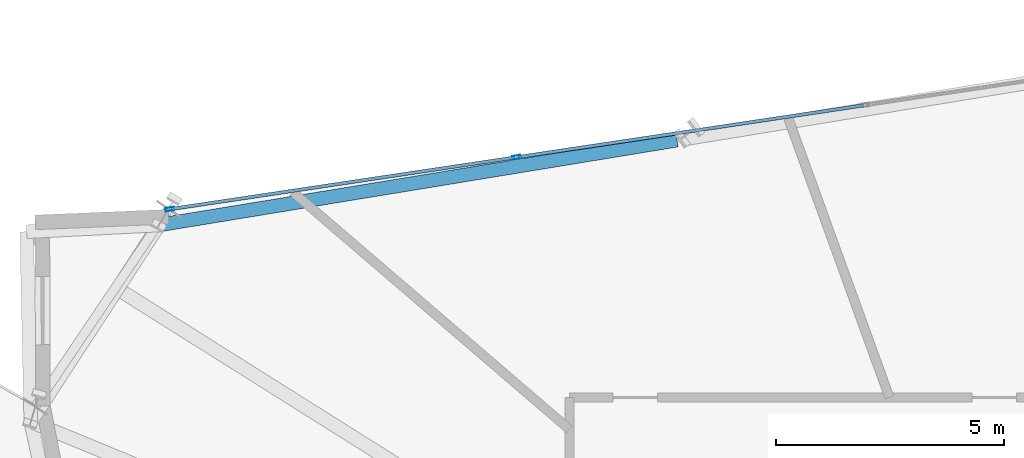
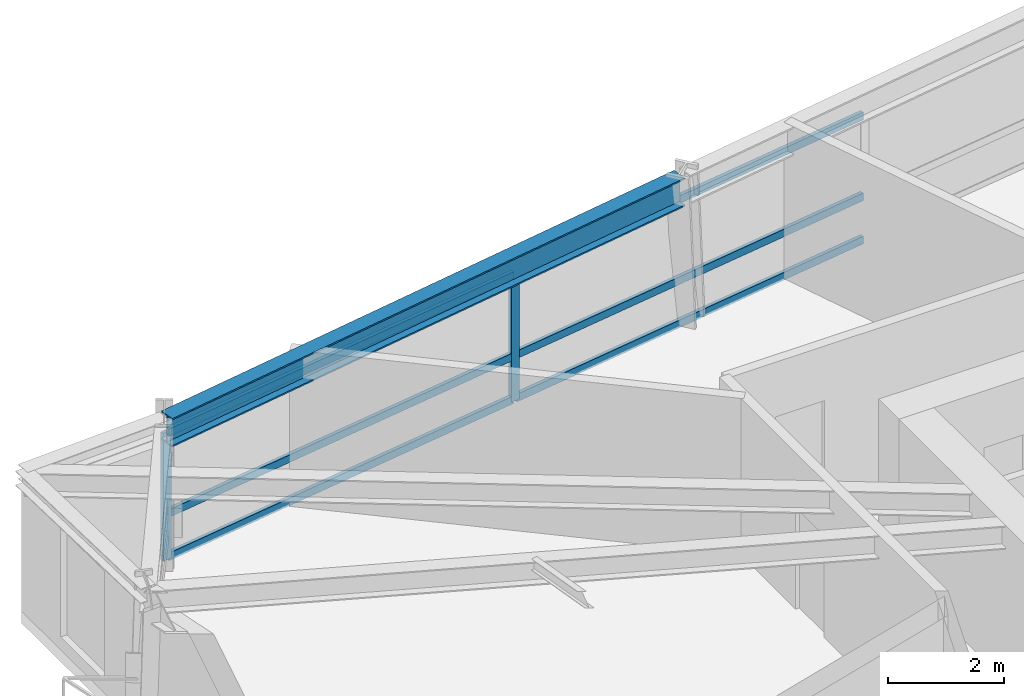
# One storey, part 4 of 14: 8 members, 1 beam, 1 element without a shape of its own.
"""IFC4 building model written with IfcOpenShell, lengths in metres."""

from ifc_helpers import new_model, si_unit, direction, frame, origin, origin_2d, place, context, subcontext, project, spatial, hollow_rectangle, i_section, extrude, source, transform, mapped, material, material_profile, profile_set, type_object, element, aggregate, save


model = new_model("IFC4")

# Units and contexts
model_context = context("Model", 3, precision=1e-05, world=origin(), true_north=direction((0.0, 1.0)))
body_context = subcontext(model_context, "Body", "Model", "MODEL_VIEW")
ifc_project = project(units=[si_unit("LENGTHUNIT", "METRE"), si_unit("AREAUNIT", "SQUARE_METRE"), si_unit("VOLUMEUNIT", "CUBIC_METRE"), si_unit("PLANEANGLEUNIT", "RADIAN"), si_unit("MASSUNIT", "GRAM", prefix="KILO")], contexts=[model_context])

# Site, building, storey
site_placement = place(None, origin())
site = spatial("IfcSite", under=ifc_project, at=site_placement, CompositionType="ELEMENT")
building_placement = place(site_placement, origin())
building = spatial("IfcBuilding", under=site, at=building_placement, Name="Olszyna Solenne Hotel", CompositionType="ELEMENT")
storey_placement = place(building_placement, frame((0.0, 0.0, 130.550048828125)))
storey = spatial("IfcBuildingStorey", under=building, at=storey_placement, Name="L34", CompositionType="ELEMENT", Elevation=130.550048828125)

# Beam
ifc_material_1 = material(Name="Steel S355J2", Category="steel")
ifc_material_profile_1 = material_profile(ifc_material_1, i_section(OverallWidth=0.300048828125, OverallDepth=0.60009765625, WebThickness=0.015380859375, FlangeThickness=0.030029296875, at=origin_2d()), Name="HEB 600", Category="load-bearing")
ifc_profile_set_1 = profile_set([ifc_material_profile_1], Name="Steel S355J2")
beam_type = type_object("IfcBeamType", Name="BM-S2", PredefinedType="BEAM", material=ifc_profile_set_1)
shared_shape_1 = source(origin(), body_context, "Body", "SweptSolid", [
    extrude(i_section(OverallWidth=0.300048828125, OverallDepth=0.60009765625, WebThickness=0.015380859375, FlangeThickness=0.030029296875, at=origin_2d()), origin(), (0.0, 0.0, 1.0), 11.44775390625),
])
beam_placement = place(storey_placement, frame((29.810546875, 41.9892578125, 3.0), z_axis=(-0.986854553556, -0.161610922048, 0.0), x_axis=(0.161610922048, -0.986854553556, 0.0)))
element("IfcBeam", 1, at=beam_placement, inside=storey, type_object=beam_type, Name="Perimeter spandrel beam BM-S2 B-L34-1019", PredefinedType="BEAM", context=body_context, shape_type="MappedRepresentation", body=[
    mapped(shared_shape_1, transform((0.0, 0.0, 0.0), x_axis=(1.0, 0.0, 0.0), y_axis=(0.0, 1.0, 0.0), z_axis=(0.0, 0.0, 1.0), scale=1.0)),
])

# Curtain wall, members
ifc_material_2 = material(Name="Anodised bronze aluminium", Category="aluminium")
curtain_wall_type = type_object("IfcCurtainWallType", Name="CW-SYS-3", PredefinedType="NOTDEFINED", material=ifc_material_2)
curtain_wall_placement = place(storey_placement, origin())
curtain_wall = element("IfcCurtainWall", 2, at=curtain_wall_placement, inside=storey, type_object=curtain_wall_type, Name="Unitised curtain wall CW-SYS-3 CW-L34-02", PredefinedType="NOTDEFINED")
ifc_material_profile_2 = material_profile(ifc_material_2, hollow_rectangle(XDim=0.074951171875, YDim=0.179931640625, WallThickness=0.00439453125, at=origin_2d()), Name="MULL 180x75x4.5", Category="load-bearing")
ifc_profile_set_2 = profile_set([ifc_material_profile_2], Name="Anodised bronze aluminium")
member_type_1 = type_object("IfcMemberType", Name="CW-M2", PredefinedType="MULLION", material=ifc_profile_set_2)
shared_shape_2 = source(origin(), body_context, "Body", "SweptSolid", [
    extrude(hollow_rectangle(XDim=0.074951171875, YDim=0.179931640625, WallThickness=0.00439453125, at=origin_2d()), origin(), (0.0, 0.0, 1.0), 2.69189453125),
])
member_1_placement = place(storey_placement, frame((18.69140625, 40.47607421875, 0.0), z_axis=(0.0, 0.0, 1.0), x_axis=(-0.148061402675, 0.988978170152, 0.0)))
member_1 = element("IfcMember", 3, at=member_1_placement, type_object=member_type_1, Name="Curtain-wall mullion CW-M2 CM-L34-02-01", PredefinedType="MULLION", context=body_context, shape_type="MappedRepresentation", body=[
    mapped(shared_shape_2, transform((0.0, 0.0, 0.0), x_axis=(1.0, 0.0, 0.0), y_axis=(0.0, 1.0, 0.0), z_axis=(0.0, 0.0, 1.0), scale=1.0)),
])
member_2_placement = place(storey_placement, frame((26.29150390625, 41.614013671875, 0.0), z_axis=(0.0, 0.0, 1.0), x_axis=(-0.148061402675, 0.988978170152, 0.0)))
member_2 = element("IfcMember", 4, at=member_2_placement, type_object=member_type_1, Name="Curtain-wall mullion CW-M2 CM-L34-02-02", PredefinedType="MULLION", context=body_context, shape_type="MappedRepresentation", body=[
    mapped(shared_shape_2, transform((0.0, 0.0, 0.0), x_axis=(1.0, 0.0, 0.0), y_axis=(0.0, 1.0, 0.0), z_axis=(0.0, 0.0, 1.0), scale=1.0)),
])
ifc_material_profile_3 = material_profile(ifc_material_2, hollow_rectangle(XDim=0.074951171875, YDim=0.159912109375, WallThickness=0.00390625, at=origin_2d()), Name="TRAN 160x75x4", Category="load-bearing")
ifc_profile_set_3 = profile_set([ifc_material_profile_3], Name="Anodised bronze aluminium")
member_type_2 = type_object("IfcMemberType", Name="CW-T1", PredefinedType="USERDEFINED", material=ifc_profile_set_3)
shared_shape_3 = source(origin(), body_context, "Body", "SweptSolid", [
    extrude(hollow_rectangle(XDim=0.074951171875, YDim=0.159912109375, WallThickness=0.00390625, at=origin_2d()), origin(), (0.0, 0.0, 1.0), 7.60986328125),
])
member_3_placement = place(storey_placement, frame((18.728515625, 40.481689453125, 0.037353515625), z_axis=(0.988978201236, 0.148061195053, 0.0), x_axis=(-0.148061195053, 0.988978201236, 0.0)))
member_3 = element("IfcMember", 5, at=member_3_placement, type_object=member_type_2, Name="Curtain-wall transom CW-T1 CT-L34-02-01", ObjectType="TRANSOM", PredefinedType="USERDEFINED", context=body_context, shape_type="MappedRepresentation", body=[
    mapped(shared_shape_3, transform((0.0, 0.0, 0.0), x_axis=(1.0, 0.0, 0.0), y_axis=(0.0, 1.0, 0.0), z_axis=(0.0, 0.0, 1.0), scale=1.0)),
])
member_4_placement = place(storey_placement, frame((18.728515625, 40.481689453125, 0.949951171875), z_axis=(0.988978201236, 0.148061195053, 0.0), x_axis=(-0.148061195053, 0.988978201236, 0.0)))
member_4 = element("IfcMember", 6, at=member_4_placement, type_object=member_type_2, Name="Curtain-wall transom CW-T1 CT-L34-02-02", ObjectType="TRANSOM", PredefinedType="USERDEFINED", context=body_context, shape_type="MappedRepresentation", body=[
    mapped(shared_shape_3, transform((0.0, 0.0, 0.0), x_axis=(1.0, 0.0, 0.0), y_axis=(0.0, 1.0, 0.0), z_axis=(0.0, 0.0, 1.0), scale=1.0)),
])
member_5_placement = place(storey_placement, frame((18.728515625, 40.481689453125, 2.654541015625), z_axis=(0.988978201236, 0.148061195053, 0.0), x_axis=(-0.148061195053, 0.988978201236, 0.0)))
member_5 = element("IfcMember", 7, at=member_5_placement, type_object=member_type_2, Name="Curtain-wall transom CW-T1 CT-L34-02-03", ObjectType="TRANSOM", PredefinedType="USERDEFINED", context=body_context, shape_type="MappedRepresentation", body=[
    mapped(shared_shape_3, transform((0.0, 0.0, 0.0), x_axis=(1.0, 0.0, 0.0), y_axis=(0.0, 1.0, 0.0), z_axis=(0.0, 0.0, 1.0), scale=1.0)),
])
shared_shape_4 = source(origin(), body_context, "Body", "SweptSolid", [
    extrude(hollow_rectangle(XDim=0.074951171875, YDim=0.159912109375, WallThickness=0.00390625, at=origin_2d()), origin(), (0.0, 0.0, 1.0), 7.647216796875),
])
member_6_placement = place(storey_placement, frame((26.32861328125, 41.61962890625, 0.037353515625), z_axis=(0.988981735639, 0.148037585001, 0.0), x_axis=(-0.148037585001, 0.988981735639, 0.0)))
member_6 = element("IfcMember", 8, at=member_6_placement, type_object=member_type_2, Name="Curtain-wall transom CW-T1 CT-L34-02-04", ObjectType="TRANSOM", PredefinedType="USERDEFINED", context=body_context, shape_type="MappedRepresentation", body=[
    mapped(shared_shape_4, transform((0.0, 0.0, 0.0), x_axis=(1.0, 0.0, 0.0), y_axis=(0.0, 1.0, 0.0), z_axis=(0.0, 0.0, 1.0), scale=1.0)),
])
member_7_placement = place(storey_placement, frame((26.32861328125, 41.61962890625, 0.949951171875), z_axis=(0.988981735639, 0.148037585001, 0.0), x_axis=(-0.148037585001, 0.988981735639, 0.0)))
member_7 = element("IfcMember", 9, at=member_7_placement, type_object=member_type_2, Name="Curtain-wall transom CW-T1 CT-L34-02-05", ObjectType="TRANSOM", PredefinedType="USERDEFINED", context=body_context, shape_type="MappedRepresentation", body=[
    mapped(shared_shape_4, transform((0.0, 0.0, 0.0), x_axis=(1.0, 0.0, 0.0), y_axis=(0.0, 1.0, 0.0), z_axis=(0.0, 0.0, 1.0), scale=1.0)),
])
member_8_placement = place(storey_placement, frame((26.32861328125, 41.61962890625, 2.654541015625), z_axis=(0.988981735639, 0.148037585001, 0.0), x_axis=(-0.148037585001, 0.988981735639, 0.0)))
member_8 = element("IfcMember", 10, at=member_8_placement, type_object=member_type_2, Name="Curtain-wall transom CW-T1 CT-L34-02-06", ObjectType="TRANSOM", PredefinedType="USERDEFINED", context=body_context, shape_type="MappedRepresentation", body=[
    mapped(shared_shape_4, transform((0.0, 0.0, 0.0), x_axis=(1.0, 0.0, 0.0), y_axis=(0.0, 1.0, 0.0), z_axis=(0.0, 0.0, 1.0), scale=1.0)),
])
aggregate(curtain_wall, [member_1, member_2, member_3, member_4, member_5, member_6, member_7, member_8])

save(model, "model.ifc")
